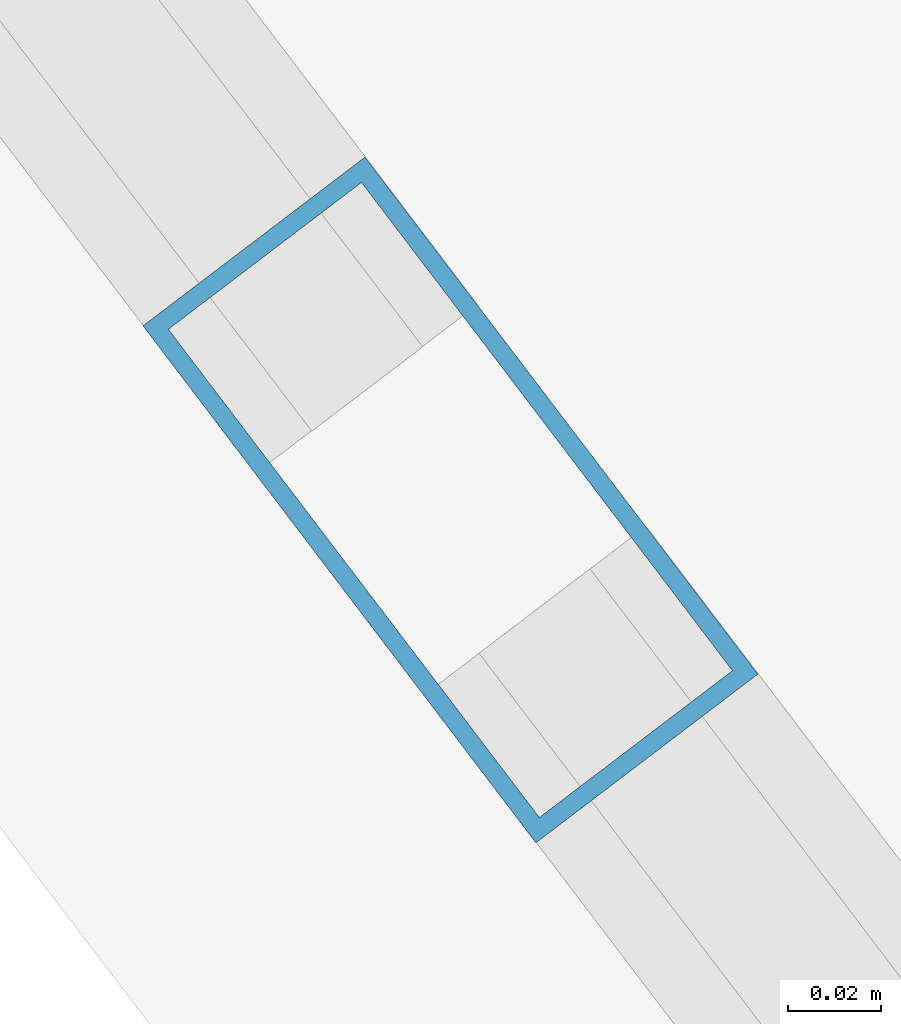
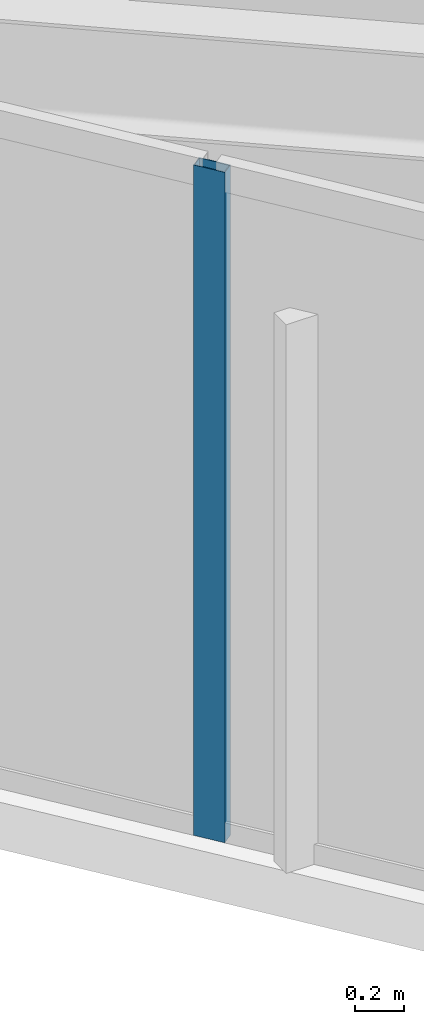
# One storey, part 3 of 16: 1 member, 1 element without a shape of its own.
"""IFC4 building model written with IfcOpenShell, lengths in metres."""

import ifcopenshell
import ifcopenshell.guid

model = None  # the IFC model being written
_history = None  # IfcOwnerHistory: only IFC2X3 demands one
_inside = {}  # id of a spatial element -> (the spatial element, [elements in it])
_under = {}  # id of a project, library or spatial element -> (it, [spatial elements below it])
_declared = {}  # id of a project -> (the project, [libraries it declares])
_typed = {}  # id of a type object -> (the type object, [elements of that type])
_made_of = {}  # id of a material, layer set ... -> (it, [elements and type objects made of it])


def new_model(schema):
    """Start an empty IFC model of exactly this schema.

    Asked for "IFC4X3", IfcOpenShell would pick the latest addendum, in which some entities
    have other attributes; the version numbers below select the first issue.
    IFC2X3 requires an IfcOwnerHistory on every rooted entity: one is made here for all.
    """
    global model, _history
    if schema == "IFC4X3":
        model = ifcopenshell.file(schema_version=(4, 3, 0, 0))
    else:
        model = ifcopenshell.file(schema=schema)
    _inside.clear()
    _under.clear()
    _declared.clear()
    _typed.clear()
    _made_of.clear()
    _history = None
    if model.schema == "IFC2X3":
        org = make("IfcOrganization", Name="unknown")
        user = make(
            "IfcPersonAndOrganization",
            ThePerson=make("IfcPerson", FamilyName="unknown"),
            TheOrganization=org,
        )
        app = make(
            "IfcApplication",
            ApplicationDeveloper=org,
            Version="unknown",
            ApplicationFullName="unknown",
            ApplicationIdentifier="unknown",
        )
        _history = make(
            "IfcOwnerHistory",
            OwningUser=user,
            OwningApplication=app,
            ChangeAction="ADDED",
            CreationDate=0,
        )
    return model


def make(cls, **values):
    """One entity of the class cls with the attributes given. An attribute that is None is left unset."""
    return model.create_entity(
        cls, **{name: value for name, value in values.items() if value is not None}
    )


def rooted(cls, **values):
    """An entity with a GlobalId (a new one), such as an element, a storey or a relation."""
    return make(cls, GlobalId=ifcopenshell.guid.new(), OwnerHistory=_history, **values)


def si_unit(unit_type, name, prefix=None):
    """IfcSIUnit, for example si_unit("LENGTHUNIT", "METRE", prefix="MILLI")."""
    return make("IfcSIUnit", UnitType=unit_type, Prefix=prefix, Name=name)


def assignment(units):
    """IfcUnitAssignment: the units of a project."""
    return None if units is None else make("IfcUnitAssignment", Units=units)


def point(xyz):
    """IfcCartesianPoint."""
    return None if xyz is None else make("IfcCartesianPoint", Coordinates=xyz)


def direction(xyz):
    """IfcDirection."""
    return None if xyz is None else make("IfcDirection", DirectionRatios=xyz)


def frame(location, z_axis=None, x_axis=None):
    """IfcAxis2Placement3D, a coordinate frame: its origin and axes. An axis left out is left unset."""
    return make(
        "IfcAxis2Placement3D",
        Location=point(location),
        Axis=direction(z_axis),
        RefDirection=direction(x_axis),
    )


def frame_2d(location, x_axis=None):
    """IfcAxis2Placement2D, a coordinate frame in the plane: its origin and x axis."""
    return make(
        "IfcAxis2Placement2D", Location=point(location), RefDirection=direction(x_axis)
    )


def origin():
    """The frame at (0, 0, 0) with its axes left unset."""
    return frame((0.0, 0.0, 0.0))


def origin_2d():
    """The frame at (0, 0) in the plane with its x axis left unset."""
    return frame_2d((0.0, 0.0))


def place(relative_to, where):
    """IfcLocalPlacement: puts the frame where relative to a parent placement (None: the world)."""
    return make(
        "IfcLocalPlacement", PlacementRelTo=relative_to, RelativePlacement=where
    )


def context(
    kind, dimensions, precision=None, world=None, true_north=None, identifier=None
):
    """IfcGeometricRepresentationContext, for example the 3D "Model" context."""
    return make(
        "IfcGeometricRepresentationContext",
        ContextIdentifier=identifier,
        ContextType=kind,
        CoordinateSpaceDimension=dimensions,
        Precision=precision,
        WorldCoordinateSystem=world,
        TrueNorth=true_north,
    )


def subcontext(parent, identifier, kind, view, scale=None):
    """IfcGeometricRepresentationSubContext, for example "Body" below "Model"."""
    return make(
        "IfcGeometricRepresentationSubContext",
        ContextIdentifier=identifier,
        ContextType=kind,
        ParentContext=parent,
        TargetScale=scale,
        TargetView=view,
    )


def project(units=None, contexts=None):
    """IfcProject with its units and contexts."""
    return rooted(
        "IfcProject",
        Name="project",
        RepresentationContexts=contexts,
        UnitsInContext=assignment(units),
    )


def spatial(cls, under=None, at=None, **own):
    """A site, building, storey or space (cls), placed at a placement, below another one or the project."""
    s = rooted(cls, ObjectPlacement=at, **own)
    if under is not None:
        _under.setdefault(under.id(), (under, []))[1].append(s)
    return s


def profile(cls, at=None, kind="AREA", **sizes):
    """A parametric profile (cls). Its sizes go by their IFC names, for example OverallWidth=200.0."""
    return make(cls, ProfileType=kind, Position=at, **sizes)


def hollow_rectangle(**sizes):
    """IfcRectangleHollowProfileDef."""
    return profile("IfcRectangleHollowProfileDef", **sizes)


def extrude(swept, where, along, depth):
    """IfcExtrudedAreaSolid: the profile swept, set in the frame where, extruded along a direction by depth."""
    return make(
        "IfcExtrudedAreaSolid",
        SweptArea=swept,
        Position=where,
        ExtrudedDirection=direction(along),
        Depth=depth,
    )


def shape(context_of_items, identifier, shape_type, items):
    """IfcShapeRepresentation: the items that make up one representation, for example the "Body"."""
    return make(
        "IfcShapeRepresentation",
        ContextOfItems=context_of_items,
        RepresentationIdentifier=identifier,
        RepresentationType=shape_type,
        Items=items,
    )


def material(Name=None, Category=None):
    """IfcMaterial."""
    return make("IfcMaterial", Name=Name, Category=Category)


def layer(
    of_material, thickness, ventilated=None, Name=None, Category=None, Priority=None
):
    """IfcMaterialLayer: one layer of a wall or slab, of a material (None: an air gap)."""
    return make(
        "IfcMaterialLayer",
        Material=of_material,
        LayerThickness=thickness,
        IsVentilated=ventilated,
        Name=Name,
        Category=Category,
        Priority=Priority,
    )


def layer_set(layers, Name=None):
    """IfcMaterialLayerSet."""
    return make("IfcMaterialLayerSet", MaterialLayers=layers, LayerSetName=Name)


def material_profile(
    of_material, cross_section, Name=None, Category=None, Priority=None
):
    """IfcMaterialProfile: a cross section and its material."""
    return make(
        "IfcMaterialProfile",
        Name=Name,
        Material=of_material,
        Profile=cross_section,
        Priority=Priority,
        Category=Category,
    )


def profile_set(profiles, Name=None, composite=None):
    """IfcMaterialProfileSet."""
    return make(
        "IfcMaterialProfileSet",
        Name=Name,
        MaterialProfiles=profiles,
        CompositeProfile=composite,
    )


def made_of(thing, what):
    """Note that an element or type object is made of a material, layer set ...; save() writes the relation."""
    if what is not None:
        _made_of.setdefault(what.id(), (what, []))[1].append(thing)
    return thing


def type_object(cls, material=None, **own):
    """A type object (cls), such as IfcWallType, which elements share."""
    return made_of(rooted(cls, **own), material)


def element(
    cls,
    number,
    at=None,
    inside=None,
    cuts=None,
    type_object=None,
    material=None,
    context=None,
    identifier="Body",
    shape_type=None,
    held_by="IfcProductDefinitionShape",
    body=None,
    shapes=None,
    **own,
):
    """One element of the class cls, such as IfcWall. Its Tag is "e" and its number.

    at: its placement. inside: the storey or other place that contains it. cuts: it is an
    opening in that element (IfcRelVoidsElement). A single representation is given by context,
    identifier, shape_type and body (its items); several are given by shapes. held_by: the class
    of the entity that holds the representations. save() writes the other relations.
    """
    e = rooted(cls, Tag="e%d" % number, ObjectPlacement=at, **own)
    if body is not None:
        shapes = [shape(context, identifier, shape_type, body)]
    if shapes is not None:
        e.Representation = make(held_by, Representations=shapes)
    if inside is not None:
        _inside.setdefault(inside.id(), (inside, []))[1].append(e)
    if cuts is not None:
        rooted(
            "IfcRelVoidsElement", RelatingBuildingElement=cuts, RelatedOpeningElement=e
        )
    if type_object is not None:
        _typed.setdefault(type_object.id(), (type_object, []))[1].append(e)
    return made_of(e, material)


def aggregate(whole, parts):
    """IfcRelAggregates: a whole, such as a stair, and the parts it consists of."""
    return rooted("IfcRelAggregates", RelatingObject=whole, RelatedObjects=parts)


def save(model, path):
    """Write the relations noted so far, then the file.

    IfcRelAggregates (storeys below a building ...), IfcRelContainedInSpatialStructure (elements
    in a storey), IfcRelDefinesByType, IfcRelAssociatesMaterial and IfcRelDeclares: one each for
    every whole, place, type object, material and project.
    """
    for whole, parts in _under.values():
        aggregate(whole, parts)
    for where, things in _inside.values():
        rooted(
            "IfcRelContainedInSpatialStructure",
            RelatedElements=things,
            RelatingStructure=where,
        )
    for kind, things in _typed.values():
        rooted("IfcRelDefinesByType", RelatedObjects=things, RelatingType=kind)
    for what, things in _made_of.values():
        rooted("IfcRelAssociatesMaterial", RelatedObjects=things, RelatingMaterial=what)
    for by, libraries in _declared.values():
        rooted("IfcRelDeclares", RelatingContext=by, RelatedDefinitions=libraries)
    model.write(path)


model = new_model("IFC4")

# Units and contexts
model_context = context("Model", 3, precision=1e-05, world=origin(), true_north=direction((0.0, 1.0)))
body_context = subcontext(model_context, "Body", "Model", "MODEL_VIEW")
ifc_project = project(units=[si_unit("LENGTHUNIT", "METRE"), si_unit("AREAUNIT", "SQUARE_METRE"), si_unit("VOLUMEUNIT", "CUBIC_METRE"), si_unit("PLANEANGLEUNIT", "RADIAN"), si_unit("MASSUNIT", "GRAM", prefix="KILO")], contexts=[model_context])

# Site, building, storey
site_placement = place(None, origin())
site = spatial("IfcSite", under=ifc_project, at=site_placement, CompositionType="ELEMENT")
building_placement = place(site_placement, origin())
building = spatial("IfcBuilding", under=site, at=building_placement, Name="Kravanh Interchange Tower", CompositionType="ELEMENT")
storey_placement = place(building_placement, frame((0.0, 0.0, 300.300048828125)))
storey = spatial("IfcBuildingStorey", under=building, at=storey_placement, Name="L74", CompositionType="ELEMENT", Elevation=300.300048828125)

# Curtain wall, member
ifc_material_1 = material(Name="Anodised Bronze Aluminium", Category="aluminium")
ifc_layer = layer(ifc_material_1, 0.179931640625)
ifc_layer_set = layer_set([ifc_layer], Name="Unitised Curtain Wall System CW-HTL Luxury Hotel")
curtain_wall_type = type_object("IfcCurtainWallType", Name="Unitised Curtain Wall System CW-HTL Luxury Hotel", PredefinedType="NOTDEFINED", material=ifc_layer_set)
curtain_wall_placement = place(storey_placement, origin())
curtain_wall = element("IfcCurtainWall", 1, at=curtain_wall_placement, inside=storey, type_object=curtain_wall_type, Name="L74 Unitised Curtain Wall CW-L74-04", PredefinedType="NOTDEFINED")
ifc_material_2 = material(Name="Anodised Bronze Aluminium", Category="aluminium")
ifc_material_profile = material_profile(ifc_material_2, hollow_rectangle(XDim=0.06005859375, YDim=0.139892578125, WallThickness=0.00390625, at=origin_2d()), Name="ALU60X140X4")
ifc_profile_set = profile_set([ifc_material_profile], Name="Anodised Bronze Aluminium")
member_type = type_object("IfcMemberType", Name="Curtain Wall Mullion ALU60X140X4 Bronze", PredefinedType="MULLION", material=ifc_profile_set)
member_placement = place(storey_placement, frame((48.7197265625, 27.140625, 0.0), z_axis=(0.0, 0.0, 1.0), x_axis=(-0.796161642797, -0.605083992962, 0.0)))
member = element("IfcMember", 2, at=member_placement, type_object=member_type, Name="CW-HTL mullion 3", PredefinedType="MULLION", context=body_context, shape_type="SweptSolid", body=[
    extrude(hollow_rectangle(XDim=0.06005859375, YDim=0.139892578125, WallThickness=0.00390625, at=origin_2d()), origin(), (0.0, 0.0, 1.0), 3.364990234375),
])
aggregate(curtain_wall, [member])

save(model, "model.ifc")
